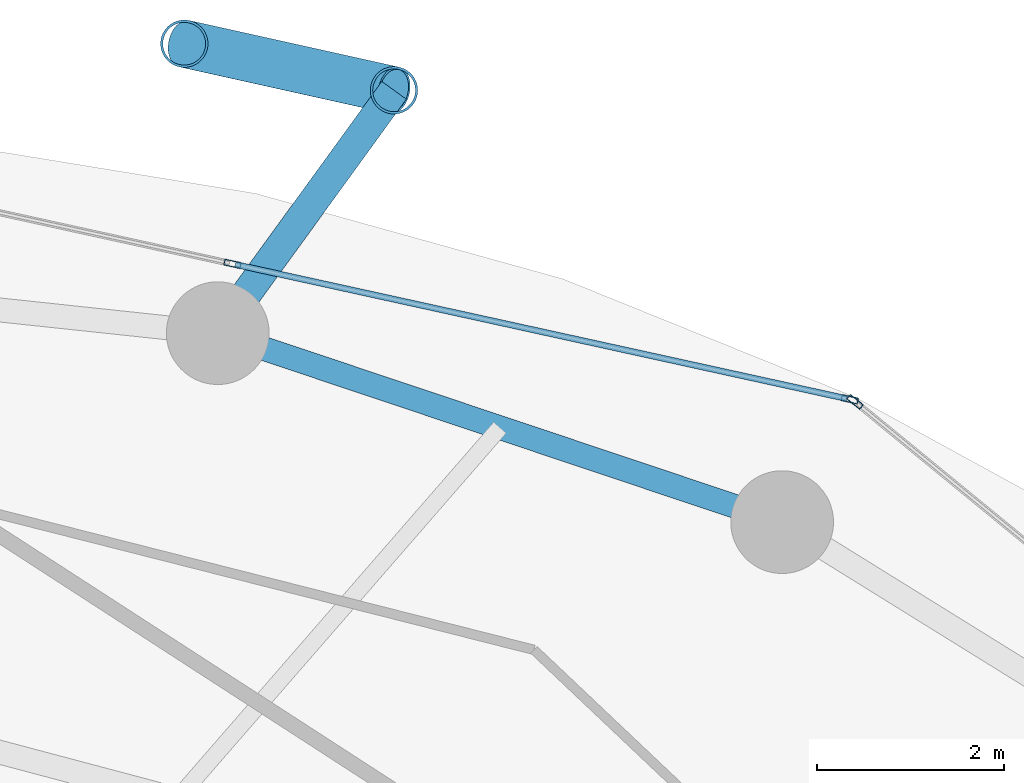
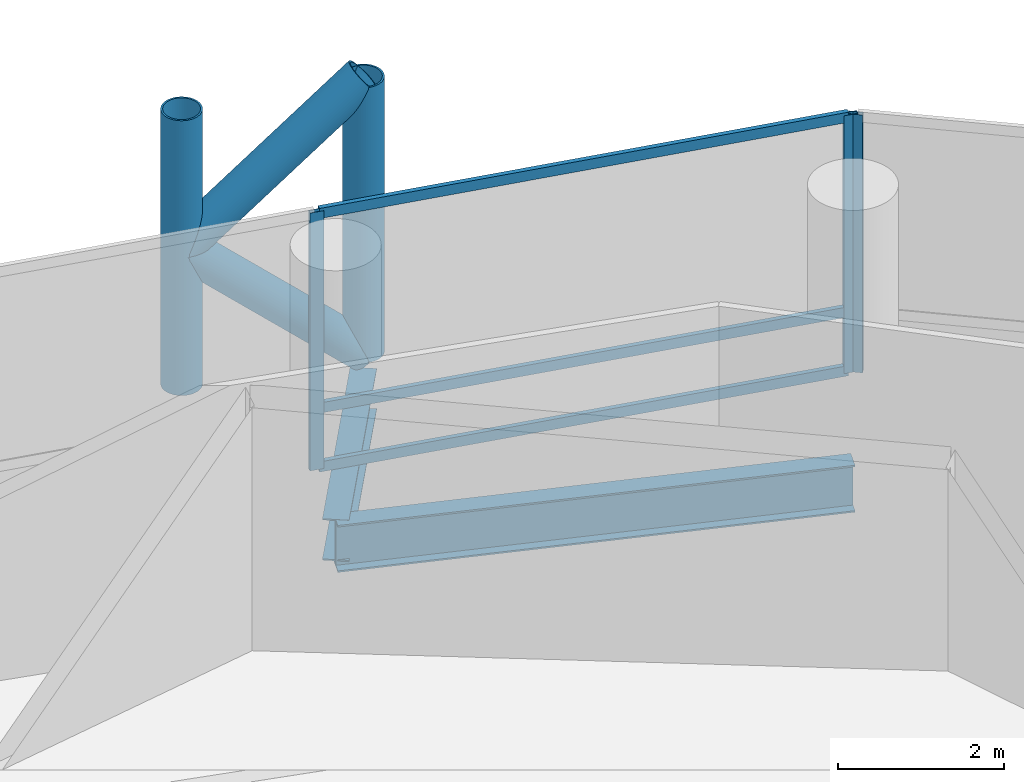
# One storey, part 18 of 24: 10 members, 2 beams, 2 elements without a shape of their own.
"""IFC4 building model written with IfcOpenShell, lengths in metres."""

from ifc_helpers import new_model, si_unit, direction, frame, origin, origin_2d, place, context, subcontext, project, spatial, hollow_rectangle, hollow_circle, i_section, extrude, material, layer, layer_set, material_profile, profile_set, type_object, element, aggregate, save


model = new_model("IFC4")

# Units and contexts
model_context = context("Model", 3, precision=1e-05, world=origin(), true_north=direction((0.0, 1.0)))
body_context = subcontext(model_context, "Body", "Model", "MODEL_VIEW")
ifc_project = project(units=[si_unit("LENGTHUNIT", "METRE"), si_unit("AREAUNIT", "SQUARE_METRE"), si_unit("VOLUMEUNIT", "CUBIC_METRE"), si_unit("PLANEANGLEUNIT", "RADIAN"), si_unit("MASSUNIT", "GRAM", prefix="KILO")], contexts=[model_context])

# Site, building, storey
site_placement = place(None, origin())
site = spatial("IfcSite", under=ifc_project, at=site_placement, CompositionType="ELEMENT")
building_placement = place(site_placement, origin())
building = spatial("IfcBuilding", under=site, at=building_placement, Name="Nuhasar Tower", CompositionType="ELEMENT")
storey_placement = place(building_placement, frame((0.0, 0.0, 73.64990234375)))
storey = spatial("IfcBuildingStorey", under=building, at=storey_placement, Name="L17", CompositionType="ELEMENT", Elevation=73.64990234375)

# Beams
ifc_material_1 = material(Name="Steel S355", Category="steel")
ifc_material_profile_1 = material_profile(ifc_material_1, i_section(OverallWidth=0.256103515625, OverallDepth=0.693115234375, WebThickness=0.014404296875, FlangeThickness=0.023681640625, at=origin_2d()), Name="W27X114")
ifc_profile_set_1 = profile_set([ifc_material_profile_1], Name="Steel S355")
beam_type_1 = type_object("IfcBeamType", Name="BM-RING-W27X114", PredefinedType="SPANDREL", material=ifc_profile_set_1)
beam_1_placement = place(storey_placement, frame((51.52490234375, 44.3369140625, -0.596923828125), z_axis=(-0.948249435708, 0.317526388949, 0.0), x_axis=(-0.317526388949, -0.948249435708, 0.0)))
element("IfcBeam", 1, at=beam_1_placement, inside=storey, type_object=beam_type_1, Name="L17 Perimeter Ring Spandrel 05", PredefinedType="SPANDREL", context=body_context, shape_type="SweptSolid", body=[
    extrude(i_section(OverallWidth=0.256103515625, OverallDepth=0.693115234375, WebThickness=0.014404296875, FlangeThickness=0.023681640625, at=origin_2d()), origin(), (0.0, 0.0, 1.0), 6.371826171875),
])
ifc_material_profile_2 = material_profile(ifc_material_1, i_section(OverallWidth=0.323974609375, OverallDepth=0.611083984375, WebThickness=0.0126953125, FlangeThickness=0.01904296875, at=origin_2d()), Name="W24X104")
ifc_profile_set_2 = profile_set([ifc_material_profile_2], Name="Steel S355")
beam_type_2 = type_object("IfcBeamType", Name="BM-TIE-W24X104", PredefinedType="BEAM", material=ifc_profile_set_2)
beam_2_placement = place(storey_placement, frame((45.48291015625, 46.360107421875, -0.554931640625), z_axis=(0.587439442414, 0.809268127073, 0.0), x_axis=(-0.809268127073, 0.587439442414, 0.0)))
element("IfcBeam", 2, at=beam_2_placement, inside=storey, type_object=beam_type_2, Name="L17 Exoskeleton Node Tie Beam 03", PredefinedType="BEAM", context=body_context, shape_type="SweptSolid", body=[
    extrude(i_section(OverallWidth=0.323974609375, OverallDepth=0.611083984375, WebThickness=0.0126953125, FlangeThickness=0.01904296875, at=origin_2d()), origin(), (0.0, 0.0, 1.0), 3.212646484375),
])

# Curtain wall, member
ifc_material_2 = material(Name="Aluminium 6063-T6", Category="aluminium")
ifc_layer = layer(ifc_material_2, 0.199951171875)
ifc_layer_set = layer_set([ifc_layer], Name="Aluminium 6063-T6")
curtain_wall_type = type_object("IfcCurtainWallType", Name="CW-Z1-OFF", PredefinedType="NOTDEFINED", material=ifc_layer_set)
curtain_wall_1_placement = place(storey_placement, origin())
curtain_wall_1 = element("IfcCurtainWall", 3, at=curtain_wall_1_placement, inside=storey, type_object=curtain_wall_type, Name="L17 Unitised Curtain Wall 02", PredefinedType="NOTDEFINED")
ifc_material_profile_3 = material_profile(ifc_material_2, hollow_rectangle(XDim=0.06494140625, YDim=0.179931640625, WallThickness=0.0048828125, at=origin_2d()), Name="CWM-2")
ifc_profile_set_3 = profile_set([ifc_material_profile_3], Name="Aluminium 6063-T6")
member_type_1 = type_object("IfcMemberType", Name="CW-MUL-S2", PredefinedType="MULLION", material=ifc_profile_set_3)
member_1_placement = place(storey_placement, frame((52.30517578125, 45.62451171875, 0.0), z_axis=(0.0, 0.0, 1.0), x_axis=(-0.633744593376, -0.773542364946, 0.0)))
member_1 = element("IfcMember", 4, at=member_1_placement, type_object=member_type_1, Name="CW-Z1 mullion 2", PredefinedType="MULLION", context=body_context, shape_type="SweptSolid", body=[
    extrude(hollow_rectangle(XDim=0.06494140625, YDim=0.179931640625, WallThickness=0.0048828125, at=origin_2d()), origin(), (0.0, 0.0, 1.0), 3.800048828125),
])
aggregate(curtain_wall_1, [member_1])

# Curtain wall, members
curtain_wall_2_placement = place(storey_placement, origin())
curtain_wall_2 = element("IfcCurtainWall", 5, at=curtain_wall_2_placement, inside=storey, type_object=curtain_wall_type, Name="L17 Unitised Curtain Wall 03", PredefinedType="NOTDEFINED")
member_2_placement = place(storey_placement, frame((52.248291015625, 45.65185546875, 0.0), z_axis=(0.0, 0.0, 1.0), x_axis=(-0.214398737637, -0.976746221544, 0.0)))
member_2 = element("IfcMember", 6, at=member_2_placement, type_object=member_type_1, Name="CW-Z1 mullion 1", PredefinedType="MULLION", context=body_context, shape_type="SweptSolid", body=[
    extrude(hollow_rectangle(XDim=0.06494140625, YDim=0.179931640625, WallThickness=0.0048828125, at=origin_2d()), origin(), (0.0, 0.0, 1.0), 3.800048828125),
])
member_3_placement = place(storey_placement, frame((45.639892578125, 47.1025390625, 0.0), z_axis=(0.0, 0.0, 1.0), x_axis=(-0.214398737637, -0.976746221544, 0.0)))
member_3 = element("IfcMember", 7, at=member_3_placement, type_object=member_type_1, Name="CW-Z1 mullion 2", PredefinedType="MULLION", context=body_context, shape_type="SweptSolid", body=[
    extrude(hollow_rectangle(XDim=0.06494140625, YDim=0.179931640625, WallThickness=0.0048828125, at=origin_2d()), origin(), (0.0, 0.0, 1.0), 3.800048828125),
])
ifc_material_profile_4 = material_profile(ifc_material_2, hollow_rectangle(XDim=0.06494140625, YDim=0.14990234375, WallThickness=0.00439453125, at=origin_2d()), Name="CWT-2")
ifc_profile_set_4 = profile_set([ifc_material_profile_4], Name="Aluminium 6063-T6")
member_type_2 = type_object("IfcMemberType", Name="CW-TRN-S2", PredefinedType="USERDEFINED", material=ifc_profile_set_4)
member_4_placement = place(storey_placement, frame((52.216552734375, 45.658935546875, 0.03271484375), z_axis=(-0.976749553792, 0.214383556196, 0.0), x_axis=(-0.214383556196, -0.976749553792, 0.0)))
member_4 = element("IfcMember", 8, at=member_4_placement, type_object=member_type_2, Name="CW-Z1 transom 1.1", ObjectType="TRANSOM", PredefinedType="USERDEFINED", context=body_context, shape_type="SweptSolid", body=[
    extrude(hollow_rectangle(XDim=0.06494140625, YDim=0.14990234375, WallThickness=0.00439453125, at=origin_2d()), origin(), (0.0, 0.0, 1.0), 6.70068359375),
])
member_5_placement = place(storey_placement, frame((52.216552734375, 45.658935546875, 0.900146484375), z_axis=(-0.976749553792, 0.214383556196, 0.0), x_axis=(-0.214383556196, -0.976749553792, 0.0)))
member_5 = element("IfcMember", 9, at=member_5_placement, type_object=member_type_2, Name="CW-Z1 transom 1.2", ObjectType="TRANSOM", PredefinedType="USERDEFINED", context=body_context, shape_type="SweptSolid", body=[
    extrude(hollow_rectangle(XDim=0.06494140625, YDim=0.14990234375, WallThickness=0.00439453125, at=origin_2d()), origin(), (0.0, 0.0, 1.0), 6.70068359375),
])
member_6_placement = place(storey_placement, frame((52.216552734375, 45.658935546875, 3.767578125), z_axis=(-0.976749553792, 0.214383556196, 0.0), x_axis=(-0.214383556196, -0.976749553792, 0.0)))
member_6 = element("IfcMember", 10, at=member_6_placement, type_object=member_type_2, Name="CW-Z1 transom 1.3", ObjectType="TRANSOM", PredefinedType="USERDEFINED", context=body_context, shape_type="SweptSolid", body=[
    extrude(hollow_rectangle(XDim=0.06494140625, YDim=0.14990234375, WallThickness=0.00439453125, at=origin_2d()), origin(), (0.0, 0.0, 1.0), 6.70068359375),
])
aggregate(curtain_wall_2, [member_2, member_3, member_4, member_5, member_6])

# Members
ifc_material_3 = material(Name="Steel S460", Category="steel")
ifc_material_profile_5 = material_profile(ifc_material_3, hollow_circle(Radius=0.25390625, WallThickness=0.025390625, at=origin_2d()), Name="HSS508X25.4")
ifc_profile_set_5 = profile_set([ifc_material_profile_5], Name="Steel S460")
member_type_3 = type_object("IfcMemberType", Name="EXO-BRONZE-508", PredefinedType="BRACE", material=ifc_profile_set_5)
for number, where, z_axis, x_axis, name in (
    (11, (47.3701171875, 48.9599609375, 0.0), (0.0, 0.0, 1.0), (1.0, 0.0, 0.0), "L17 Exoskeleton Chord Column EC-03A"),
    (12, (45.1240234375, 49.458984375, 0.0), (0.0, 0.0, 1.0), (1.0, 0.0, 0.0), "L17 Exoskeleton Chord Column EC-03B"),
):
    element("IfcMember", number, at=place(storey_placement, frame(where, z_axis=z_axis, x_axis=x_axis)), inside=storey, type_object=member_type_3, Name=name, PredefinedType="BRACE", context=body_context, shape_type="SweptSolid", body=[
        extrude(hollow_circle(Radius=0.25390625, WallThickness=0.025390625, at=origin_2d()), origin(), (0.0, 0.0, 1.0), 4.050048828125),
    ])
member_7_placement = place(storey_placement, frame((47.3701171875, 48.9599609375, 0.0), z_axis=(-0.732782908552, 0.162805246204, 0.660699372439), x_axis=(-0.216885517571, -0.97619704582, 0.0)))
element("IfcMember", 13, at=member_7_placement, inside=storey, type_object=member_type_3, Name="L17 Bronze Diagrid Brace W1-03", PredefinedType="BRACE", context=body_context, shape_type="SweptSolid", body=[
    extrude(hollow_circle(Radius=0.25390625, WallThickness=0.025390625, at=origin_2d()), origin(), (0.0, 0.0, 1.0), 3.065185546875),
])
member_8_placement = place(storey_placement, frame((45.1240234375, 49.458984375, 2.025146484375), z_axis=(0.732821471909, -0.162813813976, 0.660654487828), x_axis=(0.216885517571, 0.97619704582, 0.0)))
element("IfcMember", 14, at=member_8_placement, inside=storey, type_object=member_type_3, Name="L17 Bronze Diagrid Brace W2-03", PredefinedType="BRACE", context=body_context, shape_type="SweptSolid", body=[
    extrude(hollow_circle(Radius=0.25390625, WallThickness=0.025390625, at=origin_2d()), origin(), (0.0, 0.0, 1.0), 3.06494140625),
])

save(model, "model.ifc")
